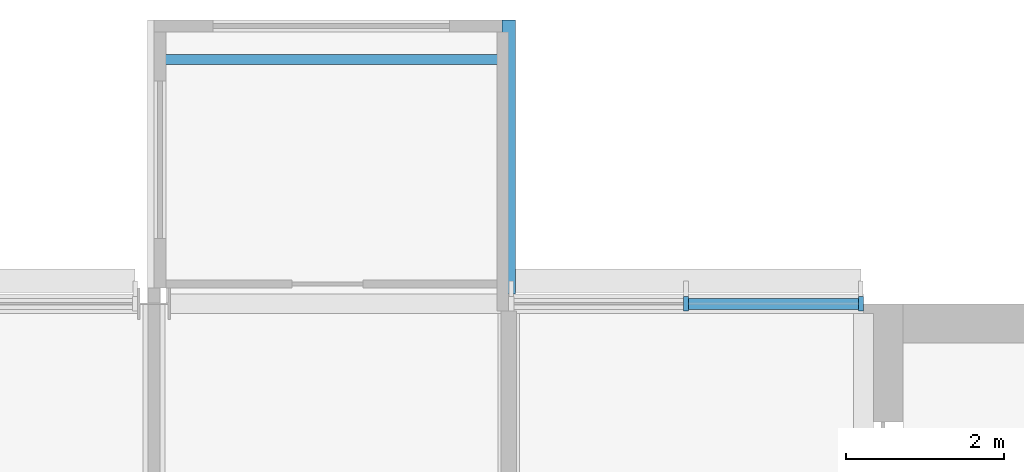
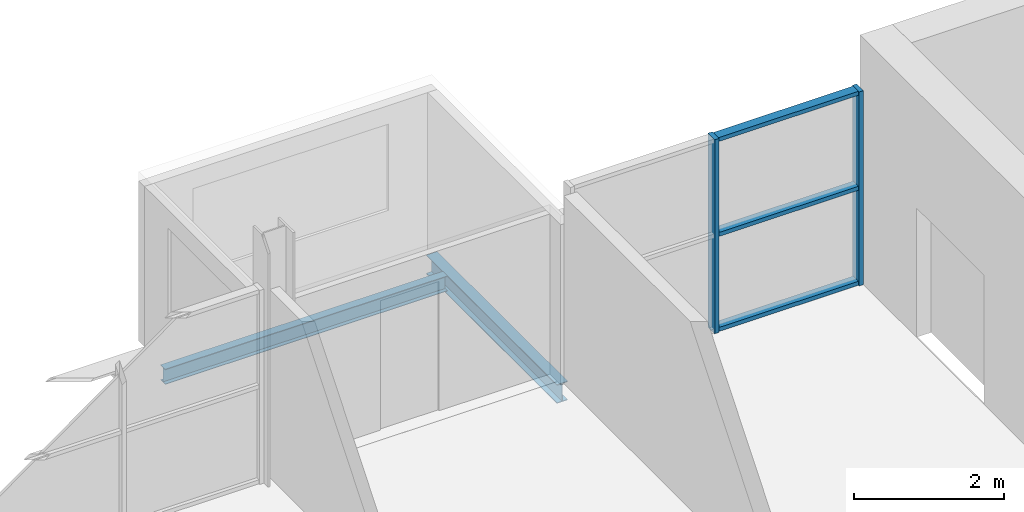
# One storey, part 3 of 11: 5 members, 2 beams, 1 element without a shape of its own.
"""IFC4 building model written with IfcOpenShell, lengths in metres."""

from ifc_helpers import new_model, si_unit, direction, frame, origin, origin_2d, place, context, subcontext, project, spatial, rectangle, i_section, extrude, material, layer, layer_set, material_profile, profile_set, type_object, element, aggregate, save


model = new_model("IFC4")

# Units and contexts
model_context = context("Model", 3, precision=1e-05, world=origin(), true_north=direction((0.0, 1.0)))
body_context = subcontext(model_context, "Body", "Model", "MODEL_VIEW")
ifc_project = project(units=[si_unit("LENGTHUNIT", "METRE"), si_unit("AREAUNIT", "SQUARE_METRE"), si_unit("VOLUMEUNIT", "CUBIC_METRE"), si_unit("PLANEANGLEUNIT", "RADIAN"), si_unit("MASSUNIT", "GRAM", prefix="KILO")], contexts=[model_context])

# Site, building, storey
site_placement = place(None, origin())
site = spatial("IfcSite", under=ifc_project, at=site_placement, CompositionType="ELEMENT")
building_placement = place(site_placement, origin())
building = spatial("IfcBuilding", under=site, at=building_placement, Name="Corbel Yard City Hall", CompositionType="ELEMENT")
storey_placement = place(building_placement, frame((0.0, 0.0, 35.199951171875)))
storey = spatial("IfcBuildingStorey", under=building, at=storey_placement, Name="L08", CompositionType="ELEMENT", Elevation=35.199951171875)

# Curtain wall, members
ifc_material_1 = material(Name="Aluminium extrusion", Category="aluminium")
ifc_layer = layer(ifc_material_1, 0.179931640625)
ifc_layer_set = layer_set([ifc_layer], Name="Aluminium extrusion")
curtain_wall_type = type_object("IfcCurtainWallType", Name="CW6", PredefinedType="USERDEFINED", material=ifc_layer_set)
curtain_wall_placement = place(storey_placement, origin())
curtain_wall = element("IfcCurtainWall", 1, at=curtain_wall_placement, inside=storey, type_object=curtain_wall_type, Name="Curtain wall CW6 L08", ObjectType="CURTAIN WALL", PredefinedType="USERDEFINED")
ifc_material_profile_1 = material_profile(ifc_material_1, rectangle(XDim=0.179931640625, YDim=0.06494140625, at=origin_2d()), Name="180x65")
ifc_profile_set_1 = profile_set([ifc_material_profile_1], Name="Aluminium extrusion")
member_type_1 = type_object("IfcMemberType", Name="ML6", PredefinedType="MULLION", material=ifc_profile_set_1)
member_1_placement = place(storey_placement, frame((42.75, 117.0, 0.0), z_axis=(0.0, 0.0, 1.0), x_axis=(0.0, 1.0, 0.0)))
member_1 = element("IfcMember", 2, at=member_1_placement, type_object=member_type_1, Name="CW6 mullion 2", PredefinedType="MULLION", context=body_context, shape_type="SweptSolid", body=[
    extrude(rectangle(XDim=0.179931640625, YDim=0.06494140625, at=origin_2d()), origin(), (0.0, 0.0, 1.0), 3.150146484375),
])
member_2_placement = place(storey_placement, frame((44.967529296875, 117.0, 0.0), z_axis=(0.0, 0.0, 1.0), x_axis=(0.0, 1.0, 0.0)))
member_2 = element("IfcMember", 3, at=member_2_placement, type_object=member_type_1, Name="CW6 mullion 3", PredefinedType="MULLION", context=body_context, shape_type="SweptSolid", body=[
    extrude(rectangle(XDim=0.179931640625, YDim=0.06494140625, at=origin_2d()), origin(), (0.0, 0.0, 1.0), 3.150146484375),
])

# Beams
ifc_material_2 = material(Name="Steel Grade 300 (300 MPa yield)", Category="steel")
ifc_material_profile_2 = material_profile(ifc_material_2, i_section(OverallWidth=0.166015625, OverallDepth=0.306884765625, WebThickness=0.006591796875, FlangeThickness=0.01171875, at=origin_2d()), Name="310UB46.2")
ifc_profile_set_2 = profile_set([ifc_material_profile_2], Name="Steel Grade 300 (300 MPa yield)")
beam_type_1 = type_object("IfcBeamType", Name="Pod stub beam 310UB46.2", PredefinedType="BEAM", material=ifc_profile_set_2)
beam_1_placement = place(storey_placement, frame((40.5, 117.125, -0.303466796875), z_axis=(0.0, 1.0, 0.0), x_axis=(-1.0, 0.0, 0.0)))
element("IfcBeam", 4, at=beam_1_placement, inside=storey, type_object=beam_type_1, Name="Pod stub 310UB46.2 CB1 L08", PredefinedType="BEAM", context=body_context, shape_type="SweptSolid", body=[
    extrude(i_section(OverallWidth=0.166015625, OverallDepth=0.306884765625, WebThickness=0.006591796875, FlangeThickness=0.01171875, at=origin_2d()), origin(), (0.0, 0.0, 1.0), 3.47509765625),
])
ifc_material_profile_3 = material_profile(ifc_material_2, i_section(OverallWidth=0.1240234375, OverallDepth=0.248046875, WebThickness=0.0048828125, FlangeThickness=0.008056640625, at=origin_2d()), Name="250UB25.7")
ifc_profile_set_3 = profile_set([ifc_material_profile_3], Name="Steel Grade 300 (300 MPa yield)")
beam_type_2 = type_object("IfcBeamType", Name="Pod tip beam", PredefinedType="BEAM", material=ifc_profile_set_3)
beam_2_placement = place(storey_placement, frame((36.0830078125, 120.10009765625, -0.27392578125), z_axis=(1.0, 0.0, 0.0), x_axis=(0.0, 1.0, 0.0)))
element("IfcBeam", 5, at=beam_2_placement, inside=storey, type_object=beam_type_2, Name="Pod tip beam", PredefinedType="BEAM", context=body_context, shape_type="SweptSolid", body=[
    extrude(i_section(OverallWidth=0.1240234375, OverallDepth=0.248046875, WebThickness=0.0048828125, FlangeThickness=0.008056640625, at=origin_2d()), origin(), (0.0, 0.0, 1.0), 4.333984375),
])

# Member
ifc_material_profile_4 = material_profile(ifc_material_1, rectangle(XDim=0.139892578125, YDim=0.06494140625, at=origin_2d()), Name="140x65")
ifc_profile_set_4 = profile_set([ifc_material_profile_4], Name="Aluminium extrusion")
member_type_2 = type_object("IfcMemberType", Name="TR6", PredefinedType="USERDEFINED", material=ifc_profile_set_4)
member_3_placement = place(storey_placement, frame((42.782470703125, 117.0, 0.032470703125), z_axis=(1.0, 0.0, 0.0), x_axis=(0.0, 1.0, 0.0)))
member_3 = element("IfcMember", 6, at=member_3_placement, type_object=member_type_2, Name="CW6 transom 2.1", ObjectType="TRANSOM", PredefinedType="USERDEFINED", context=body_context, shape_type="SweptSolid", body=[
    extrude(rectangle(XDim=0.139892578125, YDim=0.06494140625, at=origin_2d()), origin(), (0.0, 0.0, 1.0), 2.152587890625),
])

member_4_placement = place(storey_placement, frame((42.782470703125, 117.0, 1.574951171875), z_axis=(1.0, 0.0, 0.0), x_axis=(0.0, 1.0, 0.0)))
member_4 = element("IfcMember", 7, at=member_4_placement, type_object=member_type_2, Name="CW6 transom 2.2", ObjectType="TRANSOM", PredefinedType="USERDEFINED", context=body_context, shape_type="SweptSolid", body=[
    extrude(rectangle(XDim=0.139892578125, YDim=0.06494140625, at=origin_2d()), origin(), (0.0, 0.0, 1.0), 2.152587890625),
])

member_5_placement = place(storey_placement, frame((42.782470703125, 117.0, 3.117431640625), z_axis=(1.0, 0.0, 0.0), x_axis=(0.0, 1.0, 0.0)))
member_5 = element("IfcMember", 8, at=member_5_placement, type_object=member_type_2, Name="CW6 transom 2.3", ObjectType="TRANSOM", PredefinedType="USERDEFINED", context=body_context, shape_type="SweptSolid", body=[
    extrude(rectangle(XDim=0.139892578125, YDim=0.06494140625, at=origin_2d()), origin(), (0.0, 0.0, 1.0), 2.152587890625),
])

aggregate(curtain_wall, [member_1, member_2, member_3, member_4, member_5])

save(model, "model.ifc")
